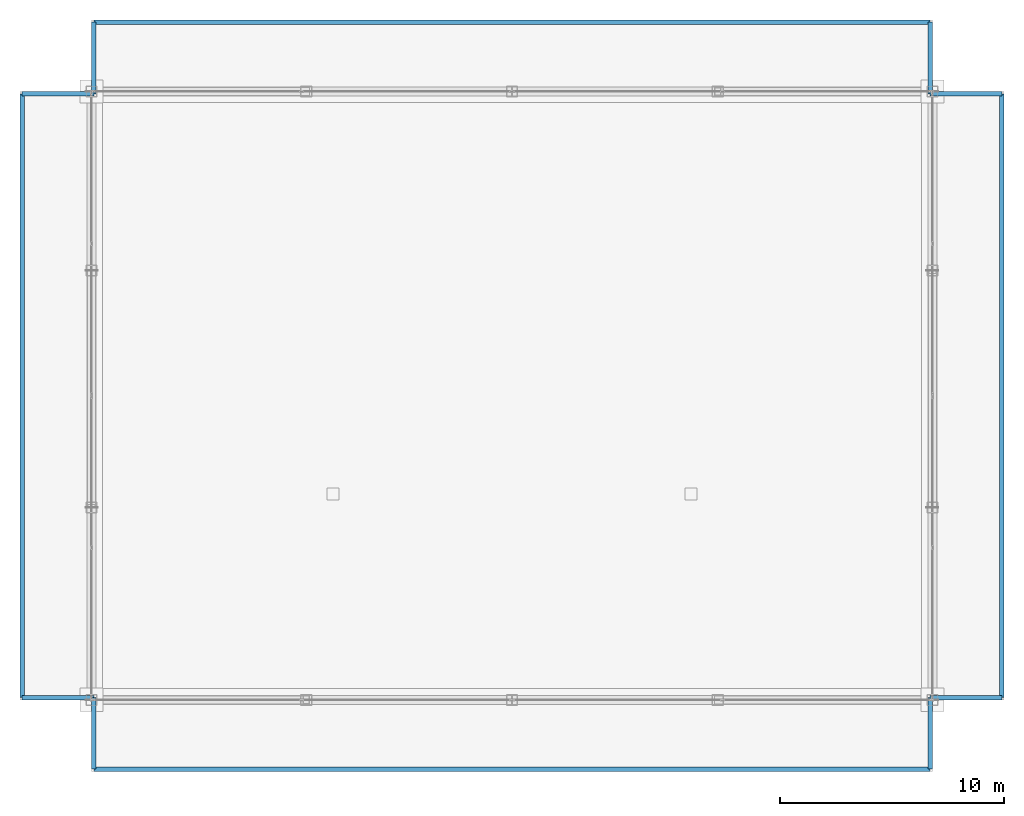
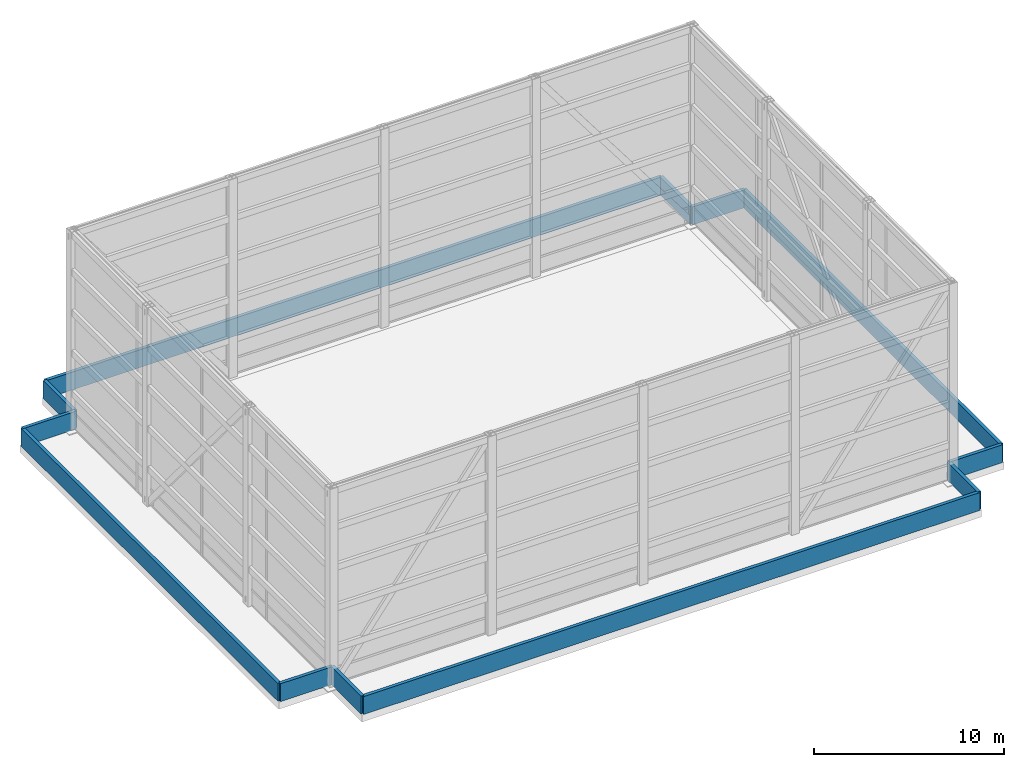
# One storey, part 22 of 23: 12 walls.
"""IFC4 building model written with IfcOpenShell, lengths in metres."""

import ifcopenshell
import ifcopenshell.guid

model = None  # the IFC model being written
_history = None  # IfcOwnerHistory: only IFC2X3 demands one
_inside = {}  # id of a spatial element -> (the spatial element, [elements in it])
_under = {}  # id of a project, library or spatial element -> (it, [spatial elements below it])
_declared = {}  # id of a project -> (the project, [libraries it declares])
_typed = {}  # id of a type object -> (the type object, [elements of that type])
_made_of = {}  # id of a material, layer set ... -> (it, [elements and type objects made of it])


def new_model(schema):
    """Start an empty IFC model of exactly this schema.

    Asked for "IFC4X3", IfcOpenShell would pick the latest addendum, in which some entities
    have other attributes; the version numbers below select the first issue.
    IFC2X3 requires an IfcOwnerHistory on every rooted entity: one is made here for all.
    """
    global model, _history
    if schema == "IFC4X3":
        model = ifcopenshell.file(schema_version=(4, 3, 0, 0))
    else:
        model = ifcopenshell.file(schema=schema)
    _inside.clear()
    _under.clear()
    _declared.clear()
    _typed.clear()
    _made_of.clear()
    _history = None
    if model.schema == "IFC2X3":
        org = make("IfcOrganization", Name="unknown")
        user = make(
            "IfcPersonAndOrganization",
            ThePerson=make("IfcPerson", FamilyName="unknown"),
            TheOrganization=org,
        )
        app = make(
            "IfcApplication",
            ApplicationDeveloper=org,
            Version="unknown",
            ApplicationFullName="unknown",
            ApplicationIdentifier="unknown",
        )
        _history = make(
            "IfcOwnerHistory",
            OwningUser=user,
            OwningApplication=app,
            ChangeAction="ADDED",
            CreationDate=0,
        )
    return model


def make(cls, **values):
    """One entity of the class cls with the attributes given. An attribute that is None is left unset."""
    return model.create_entity(
        cls, **{name: value for name, value in values.items() if value is not None}
    )


def rooted(cls, **values):
    """An entity with a GlobalId (a new one), such as an element, a storey or a relation."""
    return make(cls, GlobalId=ifcopenshell.guid.new(), OwnerHistory=_history, **values)


def si_unit(unit_type, name, prefix=None):
    """IfcSIUnit, for example si_unit("LENGTHUNIT", "METRE", prefix="MILLI")."""
    return make("IfcSIUnit", UnitType=unit_type, Prefix=prefix, Name=name)


def assignment(units):
    """IfcUnitAssignment: the units of a project."""
    return None if units is None else make("IfcUnitAssignment", Units=units)


def point(xyz):
    """IfcCartesianPoint."""
    return None if xyz is None else make("IfcCartesianPoint", Coordinates=xyz)


def direction(xyz):
    """IfcDirection."""
    return None if xyz is None else make("IfcDirection", DirectionRatios=xyz)


def frame(location, z_axis=None, x_axis=None):
    """IfcAxis2Placement3D, a coordinate frame: its origin and axes. An axis left out is left unset."""
    return make(
        "IfcAxis2Placement3D",
        Location=point(location),
        Axis=direction(z_axis),
        RefDirection=direction(x_axis),
    )


def frame_2d(location, x_axis=None):
    """IfcAxis2Placement2D, a coordinate frame in the plane: its origin and x axis."""
    return make(
        "IfcAxis2Placement2D", Location=point(location), RefDirection=direction(x_axis)
    )


def origin():
    """The frame at (0, 0, 0) with its axes left unset."""
    return frame((0.0, 0.0, 0.0))


def place(relative_to, where):
    """IfcLocalPlacement: puts the frame where relative to a parent placement (None: the world)."""
    return make(
        "IfcLocalPlacement", PlacementRelTo=relative_to, RelativePlacement=where
    )


def context(
    kind, dimensions, precision=None, world=None, true_north=None, identifier=None
):
    """IfcGeometricRepresentationContext, for example the 3D "Model" context."""
    return make(
        "IfcGeometricRepresentationContext",
        ContextIdentifier=identifier,
        ContextType=kind,
        CoordinateSpaceDimension=dimensions,
        Precision=precision,
        WorldCoordinateSystem=world,
        TrueNorth=true_north,
    )


def subcontext(parent, identifier, kind, view, scale=None):
    """IfcGeometricRepresentationSubContext, for example "Body" below "Model"."""
    return make(
        "IfcGeometricRepresentationSubContext",
        ContextIdentifier=identifier,
        ContextType=kind,
        ParentContext=parent,
        TargetScale=scale,
        TargetView=view,
    )


def project(units=None, contexts=None):
    """IfcProject with its units and contexts."""
    return rooted(
        "IfcProject",
        Name="project",
        RepresentationContexts=contexts,
        UnitsInContext=assignment(units),
    )


def spatial(cls, under=None, at=None, **own):
    """A site, building, storey or space (cls), placed at a placement, below another one or the project."""
    s = rooted(cls, ObjectPlacement=at, **own)
    if under is not None:
        _under.setdefault(under.id(), (under, []))[1].append(s)
    return s


def profile(cls, at=None, kind="AREA", **sizes):
    """A parametric profile (cls). Its sizes go by their IFC names, for example OverallWidth=200.0."""
    return make(cls, ProfileType=kind, Position=at, **sizes)


def rectangle(**sizes):
    """IfcRectangleProfileDef."""
    return profile("IfcRectangleProfileDef", **sizes)


def extrude(swept, where, along, depth):
    """IfcExtrudedAreaSolid: the profile swept, set in the frame where, extruded along a direction by depth."""
    return make(
        "IfcExtrudedAreaSolid",
        SweptArea=swept,
        Position=where,
        ExtrudedDirection=direction(along),
        Depth=depth,
    )


def shape(context_of_items, identifier, shape_type, items):
    """IfcShapeRepresentation: the items that make up one representation, for example the "Body"."""
    return make(
        "IfcShapeRepresentation",
        ContextOfItems=context_of_items,
        RepresentationIdentifier=identifier,
        RepresentationType=shape_type,
        Items=items,
    )


def material(Name=None, Category=None):
    """IfcMaterial."""
    return make("IfcMaterial", Name=Name, Category=Category)


def layer(
    of_material, thickness, ventilated=None, Name=None, Category=None, Priority=None
):
    """IfcMaterialLayer: one layer of a wall or slab, of a material (None: an air gap)."""
    return make(
        "IfcMaterialLayer",
        Material=of_material,
        LayerThickness=thickness,
        IsVentilated=ventilated,
        Name=Name,
        Category=Category,
        Priority=Priority,
    )


def layer_set(layers, Name=None):
    """IfcMaterialLayerSet."""
    return make("IfcMaterialLayerSet", MaterialLayers=layers, LayerSetName=Name)


def made_of(thing, what):
    """Note that an element or type object is made of a material, layer set ...; save() writes the relation."""
    if what is not None:
        _made_of.setdefault(what.id(), (what, []))[1].append(thing)
    return thing


def type_object(cls, material=None, **own):
    """A type object (cls), such as IfcWallType, which elements share."""
    return made_of(rooted(cls, **own), material)


def element(
    cls,
    number,
    at=None,
    inside=None,
    cuts=None,
    type_object=None,
    material=None,
    context=None,
    identifier="Body",
    shape_type=None,
    held_by="IfcProductDefinitionShape",
    body=None,
    shapes=None,
    **own,
):
    """One element of the class cls, such as IfcWall. Its Tag is "e" and its number.

    at: its placement. inside: the storey or other place that contains it. cuts: it is an
    opening in that element (IfcRelVoidsElement). A single representation is given by context,
    identifier, shape_type and body (its items); several are given by shapes. held_by: the class
    of the entity that holds the representations. save() writes the other relations.
    """
    e = rooted(cls, Tag="e%d" % number, ObjectPlacement=at, **own)
    if body is not None:
        shapes = [shape(context, identifier, shape_type, body)]
    if shapes is not None:
        e.Representation = make(held_by, Representations=shapes)
    if inside is not None:
        _inside.setdefault(inside.id(), (inside, []))[1].append(e)
    if cuts is not None:
        rooted(
            "IfcRelVoidsElement", RelatingBuildingElement=cuts, RelatedOpeningElement=e
        )
    if type_object is not None:
        _typed.setdefault(type_object.id(), (type_object, []))[1].append(e)
    return made_of(e, material)


def aggregate(whole, parts):
    """IfcRelAggregates: a whole, such as a stair, and the parts it consists of."""
    return rooted("IfcRelAggregates", RelatingObject=whole, RelatedObjects=parts)


def save(model, path):
    """Write the relations noted so far, then the file.

    IfcRelAggregates (storeys below a building ...), IfcRelContainedInSpatialStructure (elements
    in a storey), IfcRelDefinesByType, IfcRelAssociatesMaterial and IfcRelDeclares: one each for
    every whole, place, type object, material and project.
    """
    for whole, parts in _under.values():
        aggregate(whole, parts)
    for where, things in _inside.values():
        rooted(
            "IfcRelContainedInSpatialStructure",
            RelatedElements=things,
            RelatingStructure=where,
        )
    for kind, things in _typed.values():
        rooted("IfcRelDefinesByType", RelatedObjects=things, RelatingType=kind)
    for what, things in _made_of.values():
        rooted("IfcRelAssociatesMaterial", RelatedObjects=things, RelatingMaterial=what)
    for by, libraries in _declared.values():
        rooted("IfcRelDeclares", RelatingContext=by, RelatedDefinitions=libraries)
    model.write(path)


model = new_model("IFC4")

# Units and contexts
model_context = context("Model", 3, precision=1e-05, world=origin(), true_north=direction((0.0, 1.0)))
body_context = subcontext(model_context, "Body", "Model", "MODEL_VIEW")
ifc_project = project(units=[si_unit("LENGTHUNIT", "METRE"), si_unit("AREAUNIT", "SQUARE_METRE"), si_unit("VOLUMEUNIT", "CUBIC_METRE"), si_unit("PLANEANGLEUNIT", "RADIAN"), si_unit("MASSUNIT", "GRAM", prefix="KILO")], contexts=[model_context])

# Site, building, storey
site_placement = place(None, origin())
site = spatial("IfcSite", under=ifc_project, at=site_placement, CompositionType="ELEMENT")
building_placement = place(site_placement, origin())
building = spatial("IfcBuilding", under=site, at=building_placement, Name="Varnel Quay Broadcast Tower", CompositionType="ELEMENT")
storey_placement = place(building_placement, frame((0.0, 0.0, 319.800048828125)))
storey = spatial("IfcBuildingStorey", under=building, at=storey_placement, Name="Roof", CompositionType="ELEMENT", Elevation=319.800048828125)

# Walls
ifc_material = material(Name="Precast Architectural Concrete C40/50", Category="concrete")
ifc_layer = layer(ifc_material, 0.199951171875, Name="Precast Architectural Concrete C40/50")
ifc_layer_set = layer_set([ifc_layer], Name="Precast Architectural Concrete C40/50")
wall_type = type_object("IfcWallType", Name="Wall_Parapet200", PredefinedType="PARAPET", material=ifc_layer_set)
for number, where, z_axis, x_axis, name in (
    (1, (15.300048828125, 13.300048828125, 0.0), (0.0, 0.0, 1.0), (0.0, 1.0, 0.0), "Roof Perimeter Maintenance Parapet 1"),
    (2, (15.300048828125, 16.5, 0.0), (0.0, 0.0, 1.0), (-1.0, 0.0, 0.0), "Roof Perimeter Maintenance Parapet 2"),
):
    element("IfcWall", number, at=place(storey_placement, frame(where, z_axis=z_axis, x_axis=x_axis)), inside=storey, type_object=wall_type, Name=name, PredefinedType="PARAPET", context=body_context, shape_type="SweptSolid", body=[
        extrude(rectangle(XDim=3.199951171875, YDim=0.199951171875, at=frame_2d((1.60009765625, 0.0))), origin(), (0.0, 0.0, 1.0), 1.14990234375),
    ])
wall_1_placement = place(storey_placement, frame((12.10009765625, 16.5, 0.0), z_axis=(0.0, 0.0, 1.0), x_axis=(0.0, 1.0, 0.0)))
element("IfcWall", 3, at=wall_1_placement, inside=storey, type_object=wall_type, Name="Roof Perimeter Maintenance Parapet 3", PredefinedType="PARAPET", context=body_context, shape_type="SweptSolid", body=[
    extrude(rectangle(XDim=27.0, YDim=0.199951171875, at=frame_2d((13.5, 0.0))), origin(), (0.0, 0.0, 1.0), 1.14990234375),
])
for number, where, z_axis, x_axis, name in (
    (4, (12.10009765625, 43.5, 0.0), (0.0, 0.0, 1.0), (1.0, 0.0, 0.0), "Roof Perimeter Maintenance Parapet 4"),
    (5, (15.300048828125, 43.5, 0.0), (0.0, 0.0, 1.0), (0.0, 1.0, 0.0), "Roof Perimeter Maintenance Parapet 5"),
):
    element("IfcWall", number, at=place(storey_placement, frame(where, z_axis=z_axis, x_axis=x_axis)), inside=storey, type_object=wall_type, Name=name, PredefinedType="PARAPET", context=body_context, shape_type="SweptSolid", body=[
        extrude(rectangle(XDim=3.199951171875, YDim=0.199951171875, at=frame_2d((1.60009765625, 0.0))), origin(), (0.0, 0.0, 1.0), 1.14990234375),
    ])
wall_2_placement = place(storey_placement, frame((15.300048828125, 46.699951171875, 0.0), z_axis=(0.0, 0.0, 1.0), x_axis=(1.0, 0.0, 0.0)))
element("IfcWall", 6, at=wall_2_placement, inside=storey, type_object=wall_type, Name="Roof Perimeter Maintenance Parapet 6", PredefinedType="PARAPET", context=body_context, shape_type="SweptSolid", body=[
    extrude(rectangle(XDim=37.39990234375, YDim=0.199951171875, at=frame_2d((18.699951171875, 0.0))), origin(), (0.0, 0.0, 1.0), 1.14990234375),
])
for number, where, z_axis, x_axis, name in (
    (7, (52.699951171875, 46.699951171875, 0.0), (0.0, 0.0, 1.0), (0.0, -1.0, 0.0), "Roof Perimeter Maintenance Parapet 7"),
    (8, (52.699951171875, 43.5, 0.0), (0.0, 0.0, 1.0), (1.0, 0.0, 0.0), "Roof Perimeter Maintenance Parapet 8"),
):
    element("IfcWall", number, at=place(storey_placement, frame(where, z_axis=z_axis, x_axis=x_axis)), inside=storey, type_object=wall_type, Name=name, PredefinedType="PARAPET", context=body_context, shape_type="SweptSolid", body=[
        extrude(rectangle(XDim=3.199951171875, YDim=0.199951171875, at=frame_2d((1.60009765625, 0.0))), origin(), (0.0, 0.0, 1.0), 1.14990234375),
    ])
wall_3_placement = place(storey_placement, frame((55.89990234375, 43.5, 0.0), z_axis=(0.0, 0.0, 1.0), x_axis=(0.0, -1.0, 0.0)))
element("IfcWall", 9, at=wall_3_placement, inside=storey, type_object=wall_type, Name="Roof Perimeter Maintenance Parapet 9", PredefinedType="PARAPET", context=body_context, shape_type="SweptSolid", body=[
    extrude(rectangle(XDim=27.0, YDim=0.199951171875, at=frame_2d((13.5, 0.0))), origin(), (0.0, 0.0, 1.0), 1.14990234375),
])
for number, where, z_axis, x_axis, name in (
    (10, (55.89990234375, 16.5, 0.0), (0.0, 0.0, 1.0), (-1.0, 0.0, 0.0), "Roof Perimeter Maintenance Parapet 10"),
    (11, (52.699951171875, 16.5, 0.0), (0.0, 0.0, 1.0), (0.0, -1.0, 0.0), "Roof Perimeter Maintenance Parapet 11"),
):
    element("IfcWall", number, at=place(storey_placement, frame(where, z_axis=z_axis, x_axis=x_axis)), inside=storey, type_object=wall_type, Name=name, PredefinedType="PARAPET", context=body_context, shape_type="SweptSolid", body=[
        extrude(rectangle(XDim=3.199951171875, YDim=0.199951171875, at=frame_2d((1.60009765625, 0.0))), origin(), (0.0, 0.0, 1.0), 1.14990234375),
    ])
wall_4_placement = place(storey_placement, frame((52.699951171875, 13.300048828125, 0.0), z_axis=(0.0, 0.0, 1.0), x_axis=(-1.0, 0.0, 0.0)))
element("IfcWall", 12, at=wall_4_placement, inside=storey, type_object=wall_type, Name="Roof Perimeter Maintenance Parapet 12", PredefinedType="PARAPET", context=body_context, shape_type="SweptSolid", body=[
    extrude(rectangle(XDim=37.39990234375, YDim=0.199951171875, at=frame_2d((18.699951171875, 0.0))), origin(), (0.0, 0.0, 1.0), 1.14990234375),
])

save(model, "model.ifc")
